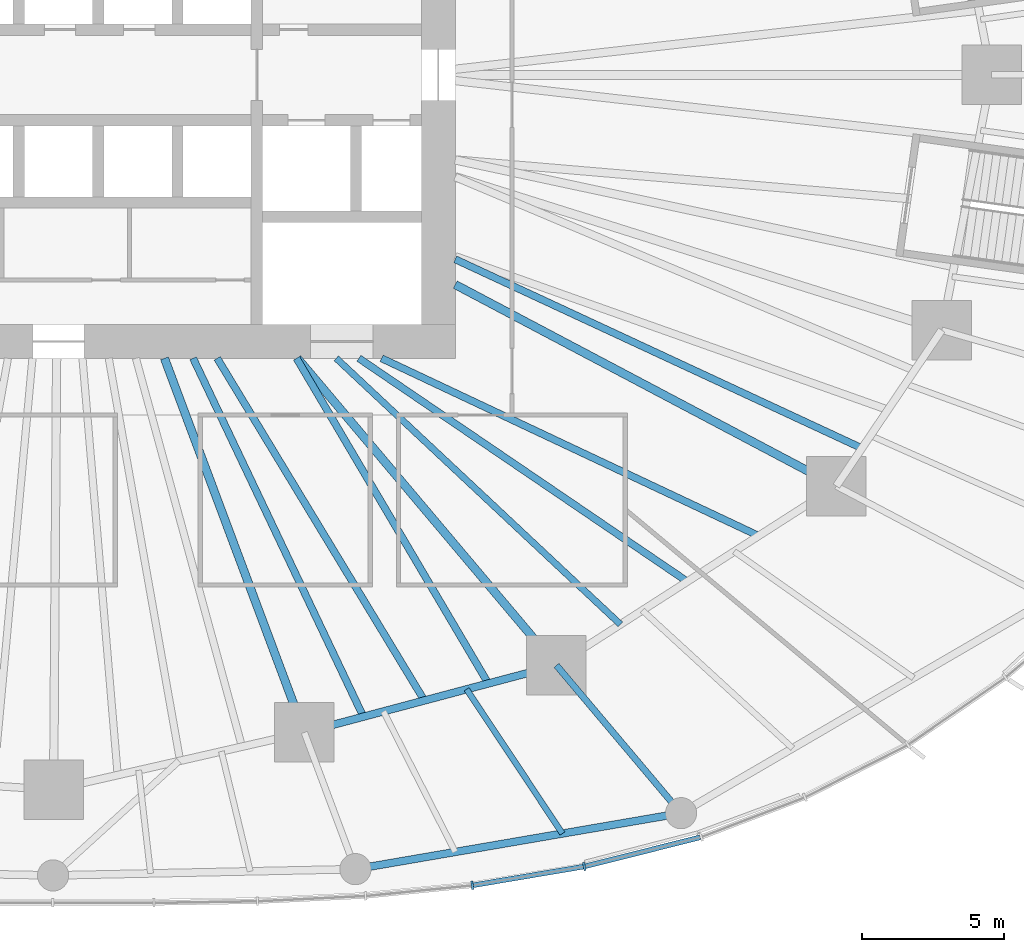
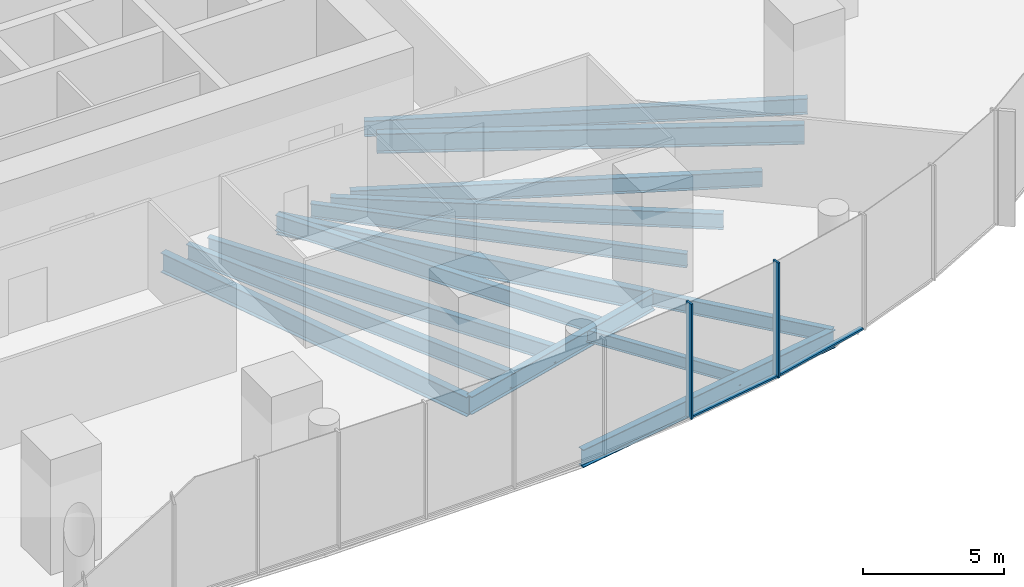
# One storey, part 4 of 28: 14 beams, 4 members, 1 element without a shape of its own.
"""IFC4 building model written with IfcOpenShell, lengths in metres."""

from ifc_helpers import new_model, si_unit, direction, frame, origin, origin_2d, place, context, subcontext, project, spatial, rectangle, i_section, extrude, material, material_profile, profile_set, type_object, element, aggregate, save


model = new_model("IFC4")

# Units and contexts
model_context = context("Model", 3, precision=1e-05, world=origin(), true_north=direction((0.0, 1.0)))
body_context = subcontext(model_context, "Body", "Model", "MODEL_VIEW")
ifc_project = project(units=[si_unit("LENGTHUNIT", "METRE"), si_unit("AREAUNIT", "SQUARE_METRE"), si_unit("VOLUMEUNIT", "CUBIC_METRE"), si_unit("PLANEANGLEUNIT", "RADIAN"), si_unit("MASSUNIT", "GRAM", prefix="KILO")], contexts=[model_context])

# Site, building, storey
site_placement = place(None, origin())
site = spatial("IfcSite", under=ifc_project, at=site_placement, CompositionType="ELEMENT")
building_placement = place(site_placement, origin())
building = spatial("IfcBuilding", under=site, at=building_placement, Name="Ghaith Harvest Tower", CompositionType="ELEMENT")
storey_placement = place(building_placement, frame((0.0, 0.0, 5.0)))
storey = spatial("IfcBuildingStorey", under=building, at=storey_placement, Name="L01", CompositionType="ELEMENT", Elevation=5.0)

# Curtain wall, members
ifc_material_1 = material(Name="Black anodised aluminium and fritted glass", Category="aluminium")
curtain_wall_type = type_object("IfcCurtainWallType", Name="CW-P CURTAIN WALL", PredefinedType="NOTDEFINED", material=ifc_material_1)
curtain_wall_placement = place(storey_placement, origin())
curtain_wall = element("IfcCurtainWall", 1, at=curtain_wall_placement, inside=storey, type_object=curtain_wall_type, Name="Curtain wall CW-P bay 17 L01", PredefinedType="NOTDEFINED")
ifc_material_2 = material(Name="Aluminium, black anodised", Category="aluminium")
ifc_material_profile_1 = material_profile(ifc_material_2, rectangle(XDim=0.080078125, YDim=0.300048828125, at=origin_2d()), Name="CW-P MULLION 80x300")
ifc_profile_set_1 = profile_set([ifc_material_profile_1], Name="Aluminium, black anodised")
member_type_1 = type_object("IfcMemberType", Name="CW-P MULLION 80x300", PredefinedType="MULLION", material=ifc_profile_set_1)
member_1_placement = place(storey_placement, frame((14.600830078125, -28.60009765625, 0.0), z_axis=(0.0, 0.0, 1.0), x_axis=(0.991022283868, 0.133696794569, 0.0)))
member_1 = element("IfcMember", 2, at=member_1_placement, type_object=member_type_1, Name="CW-P mullion 2 bay 17 L01", PredefinedType="MULLION", context=body_context, shape_type="SweptSolid", body=[
    extrude(rectangle(XDim=0.080078125, YDim=0.300048828125, at=origin_2d()), origin(), (0.0, 0.0, 1.0), 5.0),
])
member_2_placement = place(storey_placement, frame((18.553466796875, -27.933349609375, 0.0), z_axis=(0.0, 0.0, 1.0), x_axis=(0.978448790114, 0.206489624736, 0.0)))
member_2 = element("IfcMember", 3, at=member_2_placement, type_object=member_type_1, Name="CW-P mullion 3 bay 17 L01", PredefinedType="MULLION", context=body_context, shape_type="SweptSolid", body=[
    extrude(rectangle(XDim=0.080078125, YDim=0.300048828125, at=origin_2d()), origin(), (0.0, 0.0, 1.0), 5.0),
])
ifc_material_3 = material(Name="Aluminium, black anodised", Category="aluminium")
ifc_material_profile_2 = material_profile(ifc_material_3, rectangle(XDim=0.179931640625, YDim=0.080078125, at=origin_2d()), Name="CW-P TRANSOM 180x80")
ifc_profile_set_2 = profile_set([ifc_material_profile_2], Name="Aluminium, black anodised")
member_type_2 = type_object("IfcMemberType", Name="CW-P TRANSOM 180x80", PredefinedType="USERDEFINED", material=ifc_profile_set_2)
member_3_placement = place(storey_placement, frame((14.640380859375, -28.593505859375, 0.0400390625), z_axis=(0.986064442121, 0.166363806111, 0.0), x_axis=(-0.166363806111, 0.986064442121, 0.0)))
member_3 = element("IfcMember", 4, at=member_3_placement, type_object=member_type_2, Name="CW-P transom 2 bay 17 L01", ObjectType="TRANSOM", PredefinedType="USERDEFINED", context=body_context, shape_type="SweptSolid", body=[
    extrude(rectangle(XDim=0.179931640625, YDim=0.080078125, at=origin_2d()), origin(), (0.0, 0.0, 1.0), 3.928466796875),
])
member_4_placement = place(storey_placement, frame((18.59228515625, -27.923583984375, 0.0400390625), z_axis=(0.969783702734, 0.243966329463, 0.0), x_axis=(-0.243966329463, 0.969783702734, 0.0)))
member_4 = element("IfcMember", 5, at=member_4_placement, type_object=member_type_2, Name="CW-P transom 3 bay 17 L01", ObjectType="TRANSOM", PredefinedType="USERDEFINED", context=body_context, shape_type="SweptSolid", body=[
    extrude(rectangle(XDim=0.179931640625, YDim=0.080078125, at=origin_2d()), origin(), (0.0, 0.0, 1.0), 4.175048828125),
])
aggregate(curtain_wall, [member_1, member_3, member_2, member_4])

# Beams
ifc_material_4 = material(Name="Steel ASTM A992 Grade 50", Category="steel")
ifc_material_profile_3 = material_profile(ifc_material_4, i_section(OverallWidth=0.26806640625, OverallDepth=0.77001953125, WebThickness=0.015625, FlangeThickness=0.025390625, at=origin_2d()), Name="W760X196")
ifc_profile_set_3 = profile_set([ifc_material_profile_3], Name="Steel ASTM A992 Grade 50")
beam_type_1 = type_object("IfcBeamType", Name="E760-196 W760X196", PredefinedType="SPANDREL", material=ifc_profile_set_3)
beam_1_placement = place(storey_placement, frame((8.674072265625, -23.202880859375, -0.635009765625), z_axis=(0.966419097109, 0.256971065963, 0.0), x_axis=(-0.256971065963, 0.966419097109, 0.0)))
element("IfcBeam", 6, at=beam_1_placement, inside=storey, type_object=beam_type_1, Name="Edge beam E17 L01", PredefinedType="SPANDREL", context=body_context, shape_type="SweptSolid", body=[
    extrude(i_section(OverallWidth=0.26806640625, OverallDepth=0.77001953125, WebThickness=0.015625, FlangeThickness=0.025390625, at=origin_2d()), origin(), (0.0, 0.0, 1.0), 9.20703125),
])
beam_2_placement = place(storey_placement, frame((10.47705078125, -28.027099609375, -0.635009765625), z_axis=(0.985550037659, 0.169384542599, 0.0), x_axis=(-0.169384542599, 0.985550037659, 0.0)))
element("IfcBeam", 7, at=beam_2_placement, inside=storey, type_object=beam_type_1, Name="Podium edge beam PE17 L01", PredefinedType="SPANDREL", context=body_context, shape_type="SweptSolid", body=[
    extrude(i_section(OverallWidth=0.26806640625, OverallDepth=0.77001953125, WebThickness=0.015625, FlangeThickness=0.025390625, at=origin_2d()), origin(), (0.0, 0.0, 1.0), 11.660400390625),
])
ifc_material_5 = material(Name="Steel ASTM A992 Grade 50", Category="steel")
ifc_material_profile_4 = material_profile(ifc_material_5, i_section(OverallWidth=0.22802734375, OverallDepth=0.60302734375, WebThickness=0.010498046875, FlangeThickness=0.014892578125, at=origin_2d()), Name="W610X101")
ifc_profile_set_4 = profile_set([ifc_material_profile_4], Name="Steel ASTM A992 Grade 50")
beam_type_2 = type_object("IfcBeamType", Name="G610-101 W610X101", PredefinedType="BEAM", material=ifc_profile_set_4)
beam_3_placement = place(storey_placement, frame((17.572021484375, -20.8369140625, -0.551513671875), z_axis=(0.644591920097, -0.764526818722, 0.0), x_axis=(0.764526818722, 0.644591920097, 0.0)))
element("IfcBeam", 8, at=beam_3_placement, inside=storey, type_object=beam_type_2, Name="Podium radial beam PR18 L01", PredefinedType="BEAM", context=body_context, shape_type="SweptSolid", body=[
    extrude(i_section(OverallWidth=0.22802734375, OverallDepth=0.60302734375, WebThickness=0.010498046875, FlangeThickness=0.014892578125, at=origin_2d()), origin(), (0.0, 0.0, 1.0), 6.8212890625),
])
ifc_material_6 = material(Name="Steel ASTM A992 Grade 50", Category="steel")
ifc_material_profile_5 = material_profile(ifc_material_6, i_section(OverallWidth=0.2939453125, OverallDepth=0.85107421875, WebThickness=0.01611328125, FlangeThickness=0.02685546875, at=origin_2d()), Name="W840X226")
ifc_profile_set_5 = profile_set([ifc_material_profile_5], Name="Steel ASTM A992 Grade 50")
beam_type_3 = type_object("IfcBeamType", Name="G840-226 W840X226", PredefinedType="BEAM", material=ifc_profile_set_5)
beam_4_placement = place(storey_placement, frame((3.73828125, -10.0, -0.675537109375), z_axis=(0.350172283717, -0.936685310932, 0.0), x_axis=(0.936685310932, 0.350172283717, 0.0)))
element("IfcBeam", 9, at=beam_4_placement, inside=storey, type_object=beam_type_3, Name="Radial girder G17 L01", PredefinedType="BEAM", context=body_context, shape_type="SweptSolid", body=[
    extrude(i_section(OverallWidth=0.2939453125, OverallDepth=0.85107421875, WebThickness=0.01611328125, FlangeThickness=0.02685546875, at=origin_2d()), origin(), (0.0, 0.0, 1.0), 14.09521484375),
])
beam_5_placement = place(storey_placement, frame((8.4326171875, -10.0, -0.675537109375), z_axis=(0.644696130938, -0.764438943771, 0.0), x_axis=(0.764438943771, 0.644696130938, 0.0)))
element("IfcBeam", 10, at=beam_5_placement, inside=storey, type_object=beam_type_3, Name="Radial girder G18 L01", PredefinedType="BEAM", context=body_context, shape_type="SweptSolid", body=[
    extrude(i_section(OverallWidth=0.2939453125, OverallDepth=0.85107421875, WebThickness=0.01611328125, FlangeThickness=0.02685546875, at=origin_2d()), origin(), (0.0, 0.0, 1.0), 14.17626953125),
])
beam_6_placement = place(storey_placement, frame((14.0, -7.39990234375, -0.675537109375), z_axis=(0.884084425997, -0.467327216959, 0.0), x_axis=(0.467327216959, 0.884084425997, 0.0)))
element("IfcBeam", 11, at=beam_6_placement, inside=storey, type_object=beam_type_3, Name="Radial girder G19 L01", PredefinedType="BEAM", context=body_context, shape_type="SweptSolid", body=[
    extrude(i_section(OverallWidth=0.2939453125, OverallDepth=0.85107421875, WebThickness=0.01611328125, FlangeThickness=0.02685546875, at=origin_2d()), origin(), (0.0, 0.0, 1.0), 15.21240234375),
])
ifc_material_7 = material(Name="Steel ASTM A992 Grade 50", Category="steel")
ifc_material_profile_6 = material_profile(ifc_material_7, i_section(OverallWidth=0.208984375, OverallDepth=0.532958984375, WebThickness=0.01025390625, FlangeThickness=0.015625, at=origin_2d()), Name="W530X92")
ifc_profile_set_6 = profile_set([ifc_material_profile_6], Name="Steel ASTM A992 Grade 50")
beam_type_4 = type_object("IfcBeamType", Name="J530-92 W530X92", PredefinedType="JOIST", material=ifc_profile_set_6)
beam_7_placement = place(storey_placement, frame((14.400390625, -21.680419921875, -0.5166015625), z_axis=(0.553289005986, -0.832989361189, 0.0), x_axis=(0.832989361189, 0.553289005986, 0.0)))
element("IfcBeam", 12, at=beam_7_placement, inside=storey, type_object=beam_type_4, Name="Podium joist PJ17.2 L01", PredefinedType="JOIST", context=body_context, shape_type="SweptSolid", body=[
    extrude(i_section(OverallWidth=0.208984375, OverallDepth=0.532958984375, WebThickness=0.01025390625, FlangeThickness=0.015625, at=origin_2d()), origin(), (0.0, 0.0, 1.0), 6.11181640625),
])
ifc_material_8 = material(Name="Steel ASTM A992 Grade 50", Category="steel")
ifc_material_profile_7 = material_profile(ifc_material_8, i_section(OverallWidth=0.22900390625, OverallDepth=0.612060546875, WebThickness=0.011962890625, FlangeThickness=0.01953125, at=origin_2d()), Name="W610X125")
ifc_profile_set_7 = profile_set([ifc_material_profile_7], Name="Steel ASTM A992 Grade 50")
beam_type_5 = type_object("IfcBeamType", Name="J610-125 W610X125", PredefinedType="JOIST", material=ifc_profile_set_7)
beam_8_placement = place(storey_placement, frame((9.800048828125, -10.0, -0.555908203125), z_axis=(0.72994990542, -0.683500647825, 0.0), x_axis=(0.683500647825, 0.72994990542, 0.0)))
element("IfcBeam", 13, at=beam_8_placement, inside=storey, type_object=beam_type_5, Name="Joist J18.1 L01", PredefinedType="JOIST", context=body_context, shape_type="SweptSolid", body=[
    extrude(i_section(OverallWidth=0.22900390625, OverallDepth=0.612060546875, WebThickness=0.011962890625, FlangeThickness=0.01953125, at=origin_2d()), origin(), (0.0, 0.0, 1.0), 13.7392578125),
])
ifc_material_9 = material(Name="Steel ASTM A992 Grade 50", Category="steel")
ifc_material_profile_8 = material_profile(ifc_material_9, i_section(OverallWidth=0.25390625, OverallDepth=0.68408203125, WebThickness=0.012451171875, FlangeThickness=0.018798828125, at=origin_2d()), Name="W690X140")
ifc_profile_set_8 = profile_set([ifc_material_profile_8], Name="Steel ASTM A992 Grade 50")
beam_type_6 = type_object("IfcBeamType", Name="J690-140 W690X140", PredefinedType="JOIST", material=ifc_profile_set_8)
beam_9_placement = place(storey_placement, frame((4.75, -10.0, -0.592041015625), z_axis=(0.429067127754, -0.903272605519, 0.0), x_axis=(0.903272605519, 0.429067127754, 0.0)))
element("IfcBeam", 14, at=beam_9_placement, inside=storey, type_object=beam_type_6, Name="Joist J17.1 L01", PredefinedType="JOIST", context=body_context, shape_type="SweptSolid", body=[
    extrude(i_section(OverallWidth=0.25390625, OverallDepth=0.68408203125, WebThickness=0.012451171875, FlangeThickness=0.018798828125, at=origin_2d()), origin(), (0.0, 0.0, 1.0), 14.003173828125),
])
beam_10_placement = place(storey_placement, frame((5.60009765625, -10.0, -0.592041015625), z_axis=(0.517828660199, -0.855484353262, 0.0), x_axis=(0.855484353262, 0.517828660199, 0.0)))
element("IfcBeam", 15, at=beam_10_placement, inside=storey, type_object=beam_type_6, Name="Joist J17.2 L01", PredefinedType="JOIST", context=body_context, shape_type="SweptSolid", body=[
    extrude(i_section(OverallWidth=0.25390625, OverallDepth=0.68408203125, WebThickness=0.012451171875, FlangeThickness=0.018798828125, at=origin_2d()), origin(), (0.0, 0.0, 1.0), 14.11669921875),
])
beam_11_placement = place(storey_placement, frame((8.39990234375, -10.0, -0.592041015625), z_axis=(0.507894375661, -0.861419353841, 0.0), x_axis=(0.861419353841, 0.507894375661, 0.0)))
element("IfcBeam", 16, at=beam_11_placement, inside=storey, type_object=beam_type_6, Name="Joist J17.3 L01", PredefinedType="JOIST", context=body_context, shape_type="SweptSolid", body=[
    extrude(i_section(OverallWidth=0.25390625, OverallDepth=0.68408203125, WebThickness=0.012451171875, FlangeThickness=0.018798828125, at=origin_2d()), origin(), (0.0, 0.0, 1.0), 13.32275390625),
])
beam_12_placement = place(storey_placement, frame((10.60009765625, -10.0, -0.592041015625), z_axis=(0.826982555637, -0.562227580853, 0.0), x_axis=(0.562227580853, 0.826982555637, 0.0)))
element("IfcBeam", 17, at=beam_12_placement, inside=storey, type_object=beam_type_6, Name="Joist J18.2 L01", PredefinedType="JOIST", context=body_context, shape_type="SweptSolid", body=[
    extrude(i_section(OverallWidth=0.25390625, OverallDepth=0.68408203125, WebThickness=0.012451171875, FlangeThickness=0.018798828125, at=origin_2d()), origin(), (0.0, 0.0, 1.0), 14.013671875),
])
beam_13_placement = place(storey_placement, frame((11.39990234375, -10.0, -0.592041015625), z_axis=(0.904709580205, -0.426028843489, 0.0), x_axis=(0.426028843489, 0.904709580205, 0.0)))
element("IfcBeam", 18, at=beam_13_placement, inside=storey, type_object=beam_type_6, Name="Joist J18.3 L01", PredefinedType="JOIST", context=body_context, shape_type="SweptSolid", body=[
    extrude(i_section(OverallWidth=0.25390625, OverallDepth=0.68408203125, WebThickness=0.012451171875, FlangeThickness=0.018798828125, at=origin_2d()), origin(), (0.0, 0.0, 1.0), 14.708251953125),
])
beam_14_placement = place(storey_placement, frame((14.0, -6.506103515625, -0.592041015625), z_axis=(0.906865804441, -0.421419521067, 0.0), x_axis=(0.421419521067, 0.906865804441, 0.0)))
element("IfcBeam", 19, at=beam_14_placement, inside=storey, type_object=beam_type_6, Name="Joist J19.1 L01", PredefinedType="JOIST", context=body_context, shape_type="SweptSolid", body=[
    extrude(i_section(OverallWidth=0.25390625, OverallDepth=0.68408203125, WebThickness=0.012451171875, FlangeThickness=0.018798828125, at=origin_2d()), origin(), (0.0, 0.0, 1.0), 15.824462890625),
])

save(model, "model.ifc")
